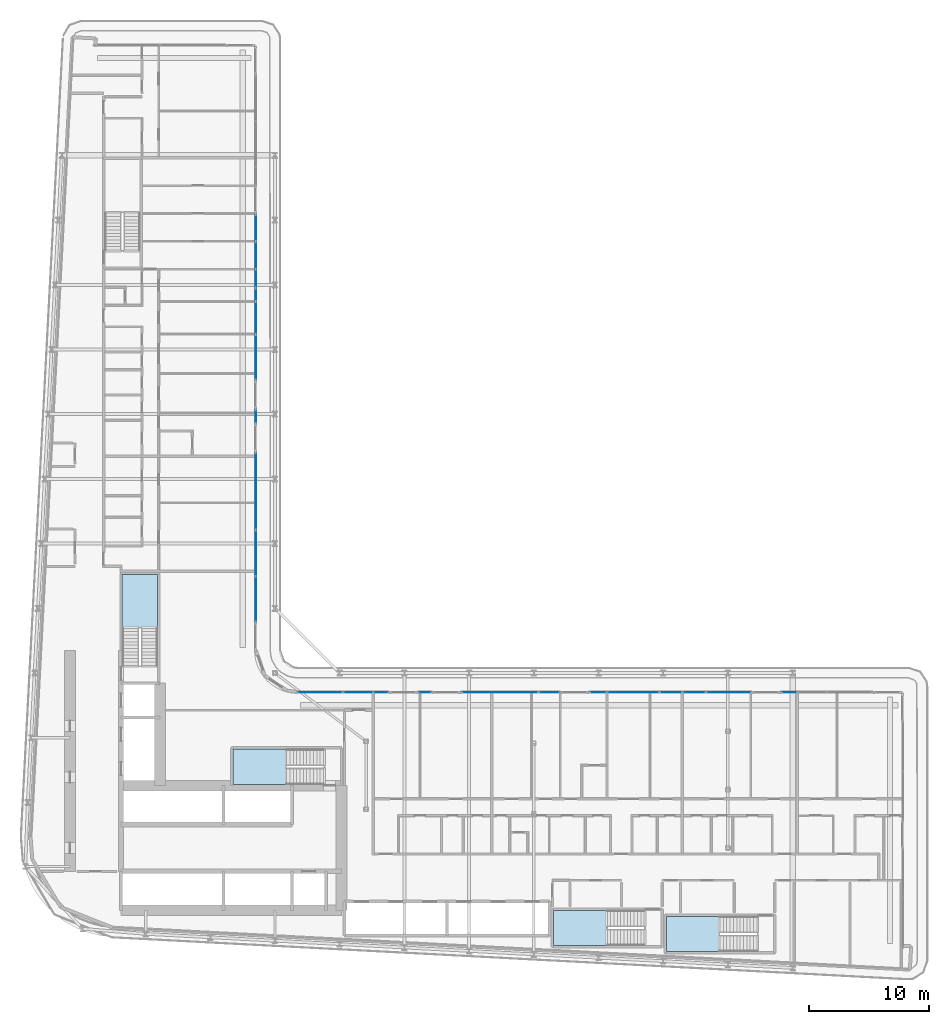
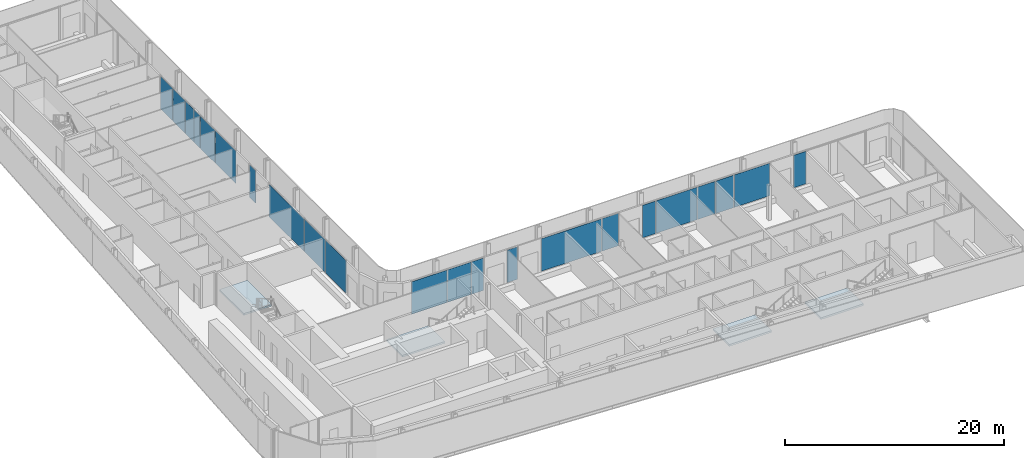
# One storey, part 10 of 28: 22 plates, 4 slabs, 16 elements without a shape of their own.
"""IFC4 building model written with IfcOpenShell, lengths in metres."""

from ifc_helpers import new_model, si_unit, direction, frame, origin, origin_2d, place, context, subcontext, project, spatial, polyline, rectangle, outline, extrude, material, layer, layer_set, type_object, element, aggregate, save


model = new_model("IFC4")

# Units and contexts
model_context = context("Model", 3, precision=1e-05, world=origin(), true_north=direction((0.0, 1.0)))
body_context = subcontext(model_context, "Body", "Model", "MODEL_VIEW")
ifc_project = project(units=[si_unit("LENGTHUNIT", "METRE"), si_unit("AREAUNIT", "SQUARE_METRE"), si_unit("VOLUMEUNIT", "CUBIC_METRE"), si_unit("PLANEANGLEUNIT", "RADIAN"), si_unit("MASSUNIT", "GRAM", prefix="KILO")], contexts=[model_context])

# Site, building, storey
site_placement = place(None, origin())
site = spatial("IfcSite", under=ifc_project, at=site_placement, CompositionType="ELEMENT")
building_placement = place(site_placement, origin())
building = spatial("IfcBuilding", under=site, at=building_placement, Name="Kheshtan School and Residences Tower", CompositionType="ELEMENT")
storey_placement = place(building_placement, frame((0.0, 0.0, 133.10009765625)))
storey = spatial("IfcBuildingStorey", under=building, at=storey_placement, Name="L31", CompositionType="ELEMENT", Elevation=133.10009765625)

# Curtain wall, plates
ifc_material_1 = material(Name="Clear low-e glass in thermally broken aluminium frame", Category="aluminium")
ifc_layer_1 = layer(ifc_material_1, 0.199951171875)
ifc_layer_set_1 = layer_set([ifc_layer_1], Name="Curtain wall CW-L")
curtain_wall_type = type_object("IfcCurtainWallType", Name="Curtain wall CW-L", PredefinedType="NOTDEFINED", material=ifc_layer_set_1)
curtain_wall_1_placement = place(storey_placement, origin())
curtain_wall_1 = element("IfcCurtainWall", 1, at=curtain_wall_1_placement, inside=storey, type_object=curtain_wall_type, Name="Curtain wall CWL8b", PredefinedType="NOTDEFINED")
ifc_layer_2 = layer(ifc_material_1, 0.031982421875)
ifc_layer_set_2 = layer_set([ifc_layer_2], Name="CW-L glass panel")
plate_type = type_object("IfcPlateType", Name="CW-L glass panel", PredefinedType="CURTAIN_PANEL", material=ifc_layer_set_2)
plate_1_placement = place(storey_placement, frame((46.0, 82.75048828125, 0.0), z_axis=(0.0, 0.0, 1.0), x_axis=(0.0, -1.0, 0.0)))
plate_1 = element("IfcPlate", 2, at=plate_1_placement, type_object=plate_type, Name="CWL8b panel 1.1", PredefinedType="CURTAIN_PANEL", context=body_context, shape_type="SweptSolid", body=[
    extrude(rectangle(XDim=2.19091796875, YDim=0.031982421875, at=origin_2d()), origin(), (0.0, 0.0, 1.0), 3.6298828125),
])
plate_2_placement = place(storey_placement, frame((46.0, 80.46240234375, 0.0), z_axis=(0.0, 0.0, 1.0), x_axis=(0.0, -1.0, 0.0)))
plate_2 = element("IfcPlate", 3, at=plate_2_placement, type_object=plate_type, Name="CWL8b panel 2.1", PredefinedType="CURTAIN_PANEL", context=body_context, shape_type="SweptSolid", body=[
    extrude(rectangle(XDim=2.264892578125, YDim=0.031982421875, at=origin_2d()), origin(), (0.0, 0.0, 1.0), 3.6298828125),
])
plate_3_placement = place(storey_placement, frame((46.0, 78.52099609375, 0.0), z_axis=(0.0, 0.0, 1.0), x_axis=(0.0, -1.0, 0.0)))
plate_3 = element("IfcPlate", 4, at=plate_3_placement, type_object=plate_type, Name="CWL8b panel 3.1", PredefinedType="CURTAIN_PANEL", context=body_context, shape_type="SweptSolid", body=[
    extrude(rectangle(XDim=1.498046875, YDim=0.031982421875, at=origin_2d()), origin(), (0.0, 0.0, 1.0), 3.6298828125),
])
aggregate(curtain_wall_1, [plate_1, plate_2, plate_3])

curtain_wall_2_placement = place(storey_placement, origin())
curtain_wall_2 = element("IfcCurtainWall", 5, at=curtain_wall_2_placement, inside=storey, type_object=curtain_wall_type, Name="Curtain wall CWL8c", PredefinedType="NOTDEFINED")
plate_4_placement = place(storey_placement, frame((46.0, 77.1708984375, 0.0), z_axis=(0.0, 0.0, 1.0), x_axis=(0.0, -1.0, 0.0)))
plate_4 = element("IfcPlate", 6, at=plate_4_placement, type_object=plate_type, Name="CWL8c panel 1.1", PredefinedType="CURTAIN_PANEL", context=body_context, shape_type="SweptSolid", body=[
    extrude(rectangle(XDim=1.08203125, YDim=0.031982421875, at=origin_2d()), origin(), (0.0, 0.0, 1.0), 3.6298828125),
])
plate_5_placement = place(storey_placement, frame((46.0, 75.232421875, 0.0), z_axis=(0.0, 0.0, 1.0), x_axis=(0.0, -1.0, 0.0)))
plate_5 = element("IfcPlate", 7, at=plate_5_placement, type_object=plate_type, Name="CWL8c panel 2.1", PredefinedType="CURTAIN_PANEL", context=body_context, shape_type="SweptSolid", body=[
    extrude(rectangle(XDim=2.675048828125, YDim=0.031982421875, at=origin_2d()), origin(), (0.0, 0.0, 1.0), 3.6298828125),
])
plate_6_placement = place(storey_placement, frame((46.0, 71.95654296875, 0.0), z_axis=(0.0, 0.0, 1.0), x_axis=(0.0, -1.0, 0.0)))
plate_6 = element("IfcPlate", 8, at=plate_6_placement, type_object=plate_type, Name="CWL8c panel 3.1", PredefinedType="CURTAIN_PANEL", context=body_context, shape_type="SweptSolid", body=[
    extrude(rectangle(XDim=3.757080078125, YDim=0.031982421875, at=origin_2d()), origin(), (0.0, 0.0, 1.0), 3.6298828125),
])
aggregate(curtain_wall_2, [plate_4, plate_5, plate_6])

# Curtain wall, plate
curtain_wall_3_placement = place(storey_placement, origin())
curtain_wall_3 = element("IfcCurtainWall", 9, at=curtain_wall_3_placement, inside=storey, type_object=curtain_wall_type, Name="Curtain wall CWL8g", PredefinedType="NOTDEFINED")
plate_7_placement = place(storey_placement, frame((46.0, 67.01806640625, 0.0), z_axis=(0.0, 0.0, 1.0), x_axis=(0.0, -1.0, 0.0)))
plate_7 = element("IfcPlate", 10, at=plate_7_placement, type_object=plate_type, Name="CWL8g panel 1.1", PredefinedType="CURTAIN_PANEL", context=body_context, shape_type="SweptSolid", body=[
    extrude(rectangle(XDim=1.080078125, YDim=0.031982421875, at=origin_2d()), origin(), (0.0, 0.0, 1.0), 3.6298828125),
])
aggregate(curtain_wall_3, [plate_7])

curtain_wall_4_placement = place(storey_placement, origin())
curtain_wall_4 = element("IfcCurtainWall", 11, at=curtain_wall_4_placement, inside=storey, type_object=curtain_wall_type, Name="Curtain wall CWL8h", PredefinedType="NOTDEFINED")
plate_8_placement = place(storey_placement, frame((46.0, 60.77099609375, 0.0), z_axis=(0.0, 0.0, 1.0), x_axis=(0.0, -1.0, 0.0)))
plate_8 = element("IfcPlate", 12, at=plate_8_placement, type_object=plate_type, Name="CWL8h panel 1.1", PredefinedType="CURTAIN_PANEL", context=body_context, shape_type="SweptSolid", body=[
    extrude(rectangle(XDim=6.3740234375, YDim=0.031982421875, at=origin_2d()), origin(), (0.0, 0.0, 1.0), 3.6298828125),
])
aggregate(curtain_wall_4, [plate_8])

# Curtain wall, plates
curtain_wall_5_placement = place(storey_placement, origin())
curtain_wall_5 = element("IfcCurtainWall", 13, at=curtain_wall_5_placement, inside=storey, type_object=curtain_wall_type, Name="Curtain wall CWL8", PredefinedType="NOTDEFINED")
plate_9_placement = place(storey_placement, frame((46.0, 55.615478515625, 0.0), z_axis=(0.0, 0.0, 1.0), x_axis=(0.0, -1.0, 0.0)))
plate_9 = element("IfcPlate", 14, at=plate_9_placement, type_object=plate_type, Name="CWL8 panel 1.1", PredefinedType="CURTAIN_PANEL", context=body_context, shape_type="SweptSolid", body=[
    extrude(rectangle(XDim=3.81689453125, YDim=0.031982421875, at=origin_2d()), origin(), (0.0, 0.0, 1.0), 3.6298828125),
])
plate_10_placement = place(storey_placement, frame((46.0, 51.7685546875, 0.0), z_axis=(0.0, 0.0, 1.0), x_axis=(0.0, -1.0, 0.0)))
plate_10 = element("IfcPlate", 15, at=plate_10_placement, type_object=plate_type, Name="CWL8 panel 2.1", PredefinedType="CURTAIN_PANEL", context=body_context, shape_type="SweptSolid", body=[
    extrude(rectangle(XDim=3.757080078125, YDim=0.031982421875, at=origin_2d()), origin(), (0.0, 0.0, 1.0), 3.6298828125),
])
aggregate(curtain_wall_5, [plate_9, plate_10])

curtain_wall_6_placement = place(storey_placement, origin())
curtain_wall_6 = element("IfcCurtainWall", 16, at=curtain_wall_6_placement, inside=storey, type_object=curtain_wall_type, Name="Curtain wall CWL12k", PredefinedType="NOTDEFINED")
plate_11_placement = place(storey_placement, frame((51.368408203125, 44.0, 0.0), z_axis=(0.0, 0.0, 1.0), x_axis=(1.0, 0.0, 0.0)))
plate_11 = element("IfcPlate", 17, at=plate_11_placement, type_object=plate_type, Name="CWL12k panel 1.1", PredefinedType="CURTAIN_PANEL", context=body_context, shape_type="SweptSolid", body=[
    extrude(rectangle(XDim=3.757080078125, YDim=0.031982421875, at=origin_2d()), origin(), (0.0, 0.0, 1.0), 3.6298828125),
])
plate_12_placement = place(storey_placement, frame((54.53857421875, 44.0, 0.0), z_axis=(0.0, 0.0, 1.0), x_axis=(1.0, 0.0, 0.0)))
plate_12 = element("IfcPlate", 18, at=plate_12_placement, type_object=plate_type, Name="CWL12k panel 2.1", PredefinedType="CURTAIN_PANEL", context=body_context, shape_type="SweptSolid", body=[
    extrude(rectangle(XDim=2.462890625, YDim=0.031982421875, at=origin_2d()), origin(), (0.0, 0.0, 1.0), 3.6298828125),
])
plate_13_placement = place(storey_placement, frame((56.447021484375, 44.0, 0.0), z_axis=(0.0, 0.0, 1.0), x_axis=(1.0, 0.0, 0.0)))
plate_13 = element("IfcPlate", 19, at=plate_13_placement, type_object=plate_type, Name="CWL12k panel 3.1", PredefinedType="CURTAIN_PANEL", context=body_context, shape_type="SweptSolid", body=[
    extrude(rectangle(XDim=1.23388671875, YDim=0.031982421875, at=origin_2d()), origin(), (0.0, 0.0, 1.0), 3.6298828125),
])
aggregate(curtain_wall_6, [plate_11, plate_12, plate_13])

# Curtain wall, plate
curtain_wall_7_placement = place(storey_placement, origin())
curtain_wall_7 = element("IfcCurtainWall", 20, at=curtain_wall_7_placement, inside=storey, type_object=curtain_wall_type, Name="Curtain wall CWL12b", PredefinedType="NOTDEFINED")
plate_14_placement = place(storey_placement, frame((60.1240234375, 44.0, 0.0), z_axis=(0.0, 0.0, 1.0), x_axis=(1.0, 0.0, 0.0)))
plate_14 = element("IfcPlate", 21, at=plate_14_placement, type_object=plate_type, Name="CWL12b panel 1.1", PredefinedType="CURTAIN_PANEL", context=body_context, shape_type="SweptSolid", body=[
    extrude(rectangle(XDim=1.080078125, YDim=0.031982421875, at=origin_2d()), origin(), (0.0, 0.0, 1.0), 3.6298828125),
])
aggregate(curtain_wall_7, [plate_14])

curtain_wall_8_placement = place(storey_placement, origin())
curtain_wall_8 = element("IfcCurtainWall", 22, at=curtain_wall_8_placement, inside=storey, type_object=curtain_wall_type, Name="Curtain wall CWL12s", PredefinedType="NOTDEFINED")
plate_15_placement = place(storey_placement, frame((66.37109375, 44.0, 0.0), z_axis=(0.0, 0.0, 1.0), x_axis=(1.0, 0.0, 0.0)))
plate_15 = element("IfcPlate", 23, at=plate_15_placement, type_object=plate_type, Name="CWL12s panel 1.1", PredefinedType="CURTAIN_PANEL", context=body_context, shape_type="SweptSolid", body=[
    extrude(rectangle(XDim=6.3740234375, YDim=0.031982421875, at=origin_2d()), origin(), (0.0, 0.0, 1.0), 3.6298828125),
])
aggregate(curtain_wall_8, [plate_15])

curtain_wall_9_placement = place(storey_placement, origin())
curtain_wall_9 = element("IfcCurtainWall", 24, at=curtain_wall_9_placement, inside=storey, type_object=curtain_wall_type, Name="Curtain wall CWL12q", PredefinedType="NOTDEFINED")
plate_16_placement = place(storey_placement, frame((70.488037109375, 44.0, 0.0), z_axis=(0.0, 0.0, 1.0), x_axis=(1.0, 0.0, 0.0)))
plate_16 = element("IfcPlate", 25, at=plate_16_placement, type_object=plate_type, Name="CWL12q panel 1.1", PredefinedType="CURTAIN_PANEL", context=body_context, shape_type="SweptSolid", body=[
    extrude(rectangle(XDim=1.739990234375, YDim=0.031982421875, at=origin_2d()), origin(), (0.0, 0.0, 1.0), 3.6298828125),
])
aggregate(curtain_wall_9, [plate_16])

# Curtain wall, plates
curtain_wall_10_placement = place(storey_placement, origin())
curtain_wall_10 = element("IfcCurtainWall", 26, at=curtain_wall_10_placement, inside=storey, type_object=curtain_wall_type, Name="Curtain wall CWL12t", PredefinedType="NOTDEFINED")
plate_17_placement = place(storey_placement, frame((74.573974609375, 44.0, 0.0), z_axis=(0.0, 0.0, 1.0), x_axis=(1.0, 0.0, 0.0)))
plate_17 = element("IfcPlate", 27, at=plate_17_placement, type_object=plate_type, Name="CWL12t panel 1.1", PredefinedType="CURTAIN_PANEL", context=body_context, shape_type="SweptSolid", body=[
    extrude(rectangle(XDim=1.39208984375, YDim=0.031982421875, at=origin_2d()), origin(), (0.0, 0.0, 1.0), 3.6298828125),
])
plate_18_placement = place(storey_placement, frame((77.490966796875, 44.0, 0.0), z_axis=(0.0, 0.0, 1.0), x_axis=(1.0, 0.0, 0.0)))
plate_18 = element("IfcPlate", 28, at=plate_18_placement, type_object=plate_type, Name="CWL12t panel 2.1", PredefinedType="CURTAIN_PANEL", context=body_context, shape_type="SweptSolid", body=[
    extrude(rectangle(XDim=4.322021484375, YDim=0.031982421875, at=origin_2d()), origin(), (0.0, 0.0, 1.0), 3.6298828125),
])
aggregate(curtain_wall_10, [plate_17, plate_18])

curtain_wall_11_placement = place(storey_placement, origin())
curtain_wall_11 = element("IfcCurtainWall", 29, at=curtain_wall_11_placement, inside=storey, type_object=curtain_wall_type, Name="Curtain wall CWL12k", PredefinedType="NOTDEFINED")
plate_19_placement = place(storey_placement, frame((80.64111328125, 44.0, 0.0), z_axis=(0.0, 0.0, 1.0), x_axis=(1.0, 0.0, 0.0)))
plate_19 = element("IfcPlate", 30, at=plate_19_placement, type_object=plate_type, Name="CWL12k panel 1.1", PredefinedType="CURTAIN_PANEL", context=body_context, shape_type="SweptSolid", body=[
    extrude(rectangle(XDim=1.85791015625, YDim=0.031982421875, at=origin_2d()), origin(), (0.0, 0.0, 1.0), 3.6298828125),
])
plate_20_placement = place(storey_placement, frame((82.57958984375, 44.0, 0.0), z_axis=(0.0, 0.0, 1.0), x_axis=(1.0, 0.0, 0.0)))
plate_20 = element("IfcPlate", 31, at=plate_20_placement, type_object=plate_type, Name="CWL12k panel 2.1", PredefinedType="CURTAIN_PANEL", context=body_context, shape_type="SweptSolid", body=[
    extrude(rectangle(XDim=1.89892578125, YDim=0.031982421875, at=origin_2d()), origin(), (0.0, 0.0, 1.0), 3.6298828125),
])
plate_21_placement = place(storey_placement, frame((85.467529296875, 44.0, 0.0), z_axis=(0.0, 0.0, 1.0), x_axis=(1.0, 0.0, 0.0)))
plate_21 = element("IfcPlate", 32, at=plate_21_placement, type_object=plate_type, Name="CWL12k panel 3.1", PredefinedType="CURTAIN_PANEL", context=body_context, shape_type="SweptSolid", body=[
    extrude(rectangle(XDim=3.757080078125, YDim=0.031982421875, at=origin_2d()), origin(), (0.0, 0.0, 1.0), 3.6298828125),
])
aggregate(curtain_wall_11, [plate_19, plate_20, plate_21])

# Curtain wall, plate
curtain_wall_12_placement = place(storey_placement, origin())
curtain_wall_12 = element("IfcCurtainWall", 33, at=curtain_wall_12_placement, inside=storey, type_object=curtain_wall_type, Name="Curtain wall CWL12k", PredefinedType="NOTDEFINED")
plate_22_placement = place(storey_placement, frame((90.51806640625, 44.0, 0.0), z_axis=(0.0, 0.0, 1.0), x_axis=(1.0, 0.0, 0.0)))
plate_22 = element("IfcPlate", 34, at=plate_22_placement, type_object=plate_type, Name="CWL12k panel 1.1", PredefinedType="CURTAIN_PANEL", context=body_context, shape_type="SweptSolid", body=[
    extrude(rectangle(XDim=1.303955078125, YDim=0.031982421875, at=origin_2d()), origin(), (0.0, 0.0, 1.0), 3.6298828125),
])
aggregate(curtain_wall_12, [plate_22])

# Stair, slab
ifc_material_2 = material(Name="Concrete C40/50", Category="concrete")
stair_type = type_object("IfcStairType", Name="Exit stair, half-turn", PredefinedType="HALF_TURN_STAIR", material=ifc_material_2)
stair_1_placement = place(storey_placement, origin())
stair_1 = element("IfcStair", 35, at=stair_1_placement, inside=storey, type_object=stair_type, Name="L31 Protected Exit Stair ST1", PredefinedType="HALF_TURN_STAIR")
ifc_layer_3 = layer(ifc_material_2, 0.199951171875)
ifc_layer_set_3 = layer_set([ifc_layer_3], Name="Stair landing 200 Concrete C40/50")
slab_type = type_object("IfcSlabType", Name="Stair landing 200 Concrete C40/50", PredefinedType="LANDING", material=ifc_layer_set_3)
slab_1_placement = place(storey_placement, frame((0.0, 0.0, 1.75)))
slab_1 = element("IfcSlab", 36, at=slab_1_placement, type_object=slab_type, Name="ST1 landing 1", PredefinedType="LANDING", context=body_context, shape_type="SweptSolid", body=[
    extrude(outline(polyline([(48.570068359375, 39.25), (44.090087890625, 39.25), (44.090087890625, 36.300048828125), (48.570068359375, 36.300048828125), (48.570068359375, 39.25)])), origin(), (0.0, 0.0, 1.0), 0.199951171875),
])
aggregate(stair_1, [slab_1])

stair_2_placement = place(storey_placement, origin())
stair_2 = element("IfcStair", 37, at=stair_2_placement, inside=storey, type_object=stair_type, Name="L31 Protected Exit Stair ST2", PredefinedType="HALF_TURN_STAIR")
slab_2_placement = place(storey_placement, frame((0.0, 0.0, 1.75)))
slab_2 = element("IfcSlab", 38, at=slab_2_placement, type_object=slab_type, Name="ST2 landing 1", PredefinedType="LANDING", context=body_context, shape_type="SweptSolid", body=[
    extrude(outline(polyline([(37.800048828125, 49.330078125), (37.800048828125, 53.81005859375), (34.85009765625, 53.81005859375), (34.85009765625, 49.330078125), (37.800048828125, 49.330078125)])), origin(), (0.0, 0.0, 1.0), 0.199951171875),
])
aggregate(stair_2, [slab_2])

stair_3_placement = place(storey_placement, origin())
stair_3 = element("IfcStair", 39, at=stair_3_placement, inside=storey, type_object=stair_type, Name="L31 Protected Exit Stair ST4", PredefinedType="HALF_TURN_STAIR")
slab_3_placement = place(storey_placement, frame((0.0, 0.0, 1.75)))
slab_3 = element("IfcSlab", 40, at=slab_3_placement, type_object=slab_type, Name="ST4 landing 1", PredefinedType="LANDING", context=body_context, shape_type="SweptSolid", body=[
    extrude(outline(polyline([(84.739990234375, 25.300048828125), (80.260009765625, 25.300048828125), (80.260009765625, 22.35009765625), (84.739990234375, 22.35009765625), (84.739990234375, 25.300048828125)])), origin(), (0.0, 0.0, 1.0), 0.199951171875),
])
aggregate(stair_3, [slab_3])

stair_4_placement = place(storey_placement, origin())
stair_4 = element("IfcStair", 41, at=stair_4_placement, inside=storey, type_object=stair_type, Name="L31 Protected Exit Stair ST5", PredefinedType="HALF_TURN_STAIR")
slab_4_placement = place(storey_placement, frame((0.0, 0.0, 1.75)))
slab_4 = element("IfcSlab", 42, at=slab_4_placement, type_object=slab_type, Name="ST5 landing 1", PredefinedType="LANDING", context=body_context, shape_type="SweptSolid", body=[
    extrude(outline(polyline([(75.330078125, 25.800048828125), (70.85009765625, 25.800048828125), (70.85009765625, 22.85009765625), (75.330078125, 22.85009765625), (75.330078125, 25.800048828125)])), origin(), (0.0, 0.0, 1.0), 0.199951171875),
])
aggregate(stair_4, [slab_4])

save(model, "model.ifc")
